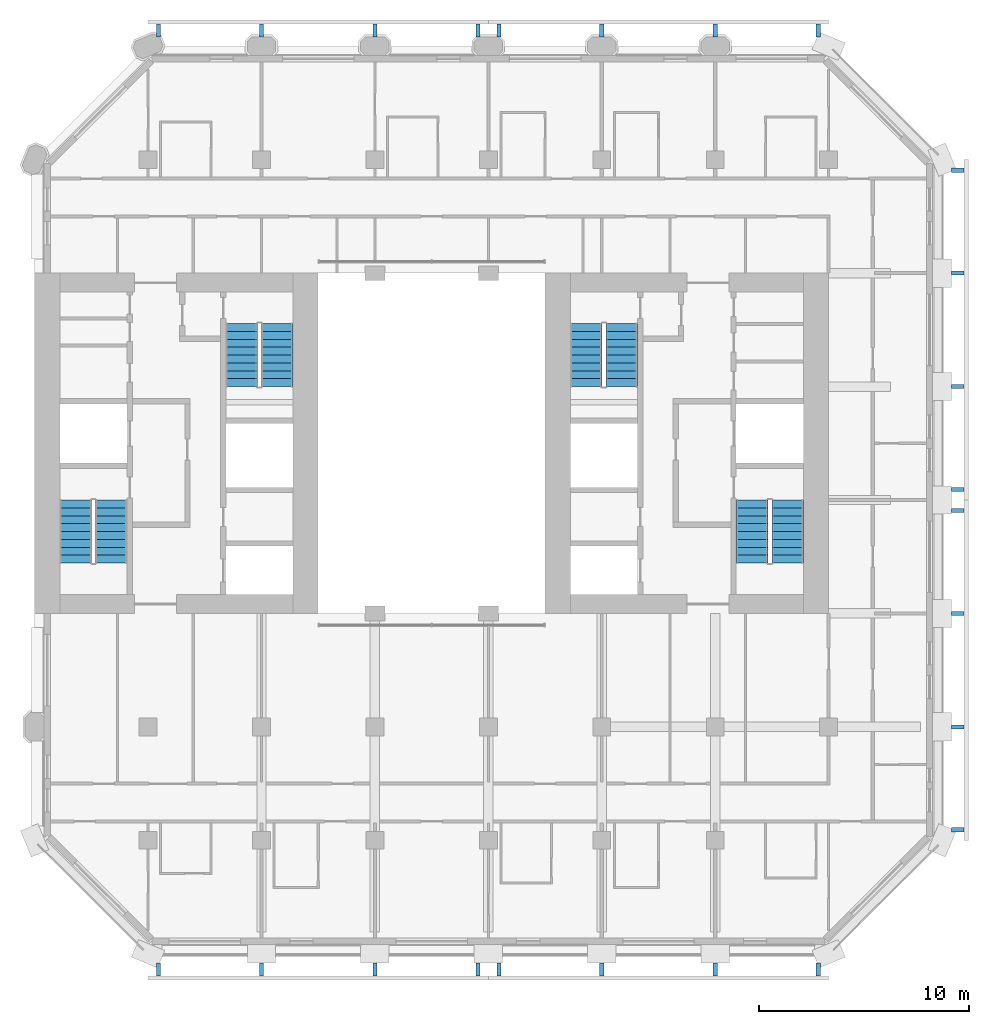
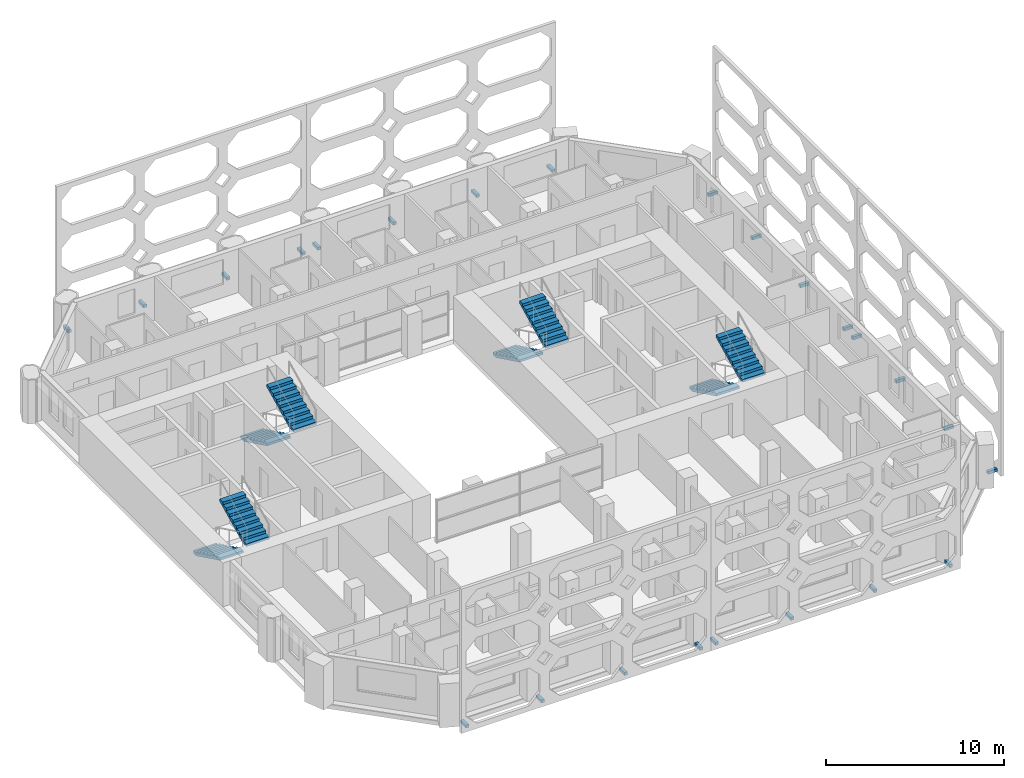
# One storey, part 11 of 14: 24 discrete accessories, 8 stair flights, 4 elements without a shape of their own.
"""IFC4 building model written with IfcOpenShell, lengths in metres."""

from ifc_helpers import new_model, si_unit, direction, frame, origin, origin_2d, place, context, subcontext, project, spatial, polyline, rectangle, outline, extrude, material, type_object, element, aggregate, save


model = new_model("IFC4")

# Units and contexts
model_context = context("Model", 3, precision=1e-05, world=origin(), true_north=direction((0.0, 1.0)))
body_context = subcontext(model_context, "Body", "Model", "MODEL_VIEW")
ifc_project = project(units=[si_unit("LENGTHUNIT", "METRE"), si_unit("AREAUNIT", "SQUARE_METRE"), si_unit("VOLUMEUNIT", "CUBIC_METRE"), si_unit("PLANEANGLEUNIT", "RADIAN"), si_unit("MASSUNIT", "GRAM", prefix="KILO")], contexts=[model_context])

# Site, building, storey
site_placement = place(None, origin())
site = spatial("IfcSite", under=ifc_project, at=site_placement, CompositionType="ELEMENT")
building_placement = place(site_placement, origin())
building = spatial("IfcBuilding", under=site, at=building_placement, Name="Tabaq Tower and Sports Hall", CompositionType="ELEMENT")
storey_placement = place(building_placement, frame((0.0, 0.0, 166.0)))
storey = spatial("IfcBuildingStorey", under=building, at=storey_placement, Name="L39", CompositionType="ELEMENT", Elevation=166.0)

# Stair, stair flights
ifc_material_1 = material(Name="Concrete C40/50", Category="concrete")
stair_type = type_object("IfcStairType", Name="Exit stair", PredefinedType="HALF_TURN_STAIR", material=ifc_material_1)
stair_1_placement = place(storey_placement, origin())
stair_1 = element("IfcStair", 1, at=stair_1_placement, inside=storey, type_object=stair_type, Name="L39 Exit stair ST1", PredefinedType="HALF_TURN_STAIR")
ifc_material_2 = material(Name="Concrete C40/50", Category="concrete")
stair_flight_type = type_object("IfcStairFlightType", Name="Exit stair flight", PredefinedType="STRAIGHT", material=ifc_material_2)
stair_flight_1_placement = place(storey_placement, frame((7.35009765625, 21.60009765625, 0.0), z_axis=(0.0, 0.0, 1.0), x_axis=(0.0, -1.0, 0.0)))
stair_flight_1 = element("IfcStairFlight", 2, at=stair_flight_1_placement, type_object=stair_flight_type, Name="ST1 flight 1", NumberOfRisers=9, NumberOfTreads=8, PredefinedType="STRAIGHT", RiserHeight=0.183333333, TreadLength=0.375, context=body_context, shape_type="SweptSolid", body=[
    extrude(outline(polyline([(0.0, 0.0), (0.0, 0.183349609375), (0.375, 0.183349609375), (0.375, 0.36669921875), (0.75, 0.36669921875), (0.75, 0.550048828125), (1.125, 0.550048828125), (1.125, 0.7333984375), (1.5, 0.7333984375), (1.5, 0.916748046875), (1.875, 0.916748046875), (1.875, 1.10009765625), (2.25, 1.10009765625), (2.25, 1.283447265625), (2.625, 1.283447265625), (2.625, 1.466552734375), (3.0, 1.466552734375), (3.0, 1.64990234375), (3.0, 1.2998046875), (0.34130859375, 0.0), (0.0, 0.0)])), frame((0.0, 0.75, 0.0), z_axis=(0.0, -1.0, 0.0), x_axis=(1.0, 0.0, 0.0)), (0.0, 0.0, 1.0), 1.5),
])
stair_flight_2_placement = place(storey_placement, frame((9.050048828125, 18.60009765625, 1.64990234375), z_axis=(0.0, 0.0, 1.0), x_axis=(0.0, 1.0, 0.0)))
stair_flight_2 = element("IfcStairFlight", 3, at=stair_flight_2_placement, type_object=stair_flight_type, Name="ST1 flight 2", NumberOfRisers=9, NumberOfTreads=8, PredefinedType="STRAIGHT", RiserHeight=0.183333333, TreadLength=0.375, context=body_context, shape_type="SweptSolid", body=[
    extrude(outline(polyline([(0.0, 0.0), (0.0, 0.183349609375), (0.375, 0.183349609375), (0.375, 0.36669921875), (0.75, 0.36669921875), (0.75, 0.550048828125), (1.125, 0.550048828125), (1.125, 0.7333984375), (1.5, 0.7333984375), (1.5, 0.916748046875), (1.875, 0.916748046875), (1.875, 1.10009765625), (2.25, 1.10009765625), (2.25, 1.283447265625), (2.625, 1.283447265625), (2.625, 1.466552734375), (3.0, 1.466552734375), (3.0, 1.64990234375), (3.0, 1.2998046875), (0.34130859375, 0.0), (0.0, 0.0)])), frame((0.0, 0.75, 0.0), z_axis=(0.0, -1.0, 0.0), x_axis=(1.0, 0.0, 0.0)), (0.0, 0.0, 1.0), 1.5),
])
aggregate(stair_1, [stair_flight_1, stair_flight_2])

stair_2_placement = place(storey_placement, origin())
stair_2 = element("IfcStair", 4, at=stair_2_placement, inside=storey, type_object=stair_type, Name="L39 Exit stair ST2", PredefinedType="HALF_TURN_STAIR")
stair_flight_3_placement = place(storey_placement, frame((15.25, 30.0, 0.0), z_axis=(0.0, 0.0, 1.0), x_axis=(0.0, -1.0, 0.0)))
stair_flight_3 = element("IfcStairFlight", 5, at=stair_flight_3_placement, type_object=stair_flight_type, Name="ST2 flight 1", NumberOfRisers=9, NumberOfTreads=8, PredefinedType="STRAIGHT", RiserHeight=0.183333333, TreadLength=0.375, context=body_context, shape_type="SweptSolid", body=[
    extrude(outline(polyline([(0.0, 0.0), (0.0, 0.183349609375), (0.375, 0.183349609375), (0.375, 0.36669921875), (0.75, 0.36669921875), (0.75, 0.550048828125), (1.125, 0.550048828125), (1.125, 0.7333984375), (1.5, 0.7333984375), (1.5, 0.916748046875), (1.875, 0.916748046875), (1.875, 1.10009765625), (2.25, 1.10009765625), (2.25, 1.283447265625), (2.625, 1.283447265625), (2.625, 1.466552734375), (3.0, 1.466552734375), (3.0, 1.64990234375), (3.0, 1.2998046875), (0.34130859375, 0.0), (0.0, 0.0)])), frame((0.0, 0.75, 0.0), z_axis=(0.0, -1.0, 0.0), x_axis=(1.0, 0.0, 0.0)), (0.0, 0.0, 1.0), 1.5),
])
stair_flight_4_placement = place(storey_placement, frame((16.949951171875, 27.0, 1.64990234375), z_axis=(0.0, 0.0, 1.0), x_axis=(0.0, 1.0, 0.0)))
stair_flight_4 = element("IfcStairFlight", 6, at=stair_flight_4_placement, type_object=stair_flight_type, Name="ST2 flight 2", NumberOfRisers=9, NumberOfTreads=8, PredefinedType="STRAIGHT", RiserHeight=0.183333333, TreadLength=0.375, context=body_context, shape_type="SweptSolid", body=[
    extrude(outline(polyline([(0.0, 0.0), (0.0, 0.183349609375), (0.375, 0.183349609375), (0.375, 0.36669921875), (0.75, 0.36669921875), (0.75, 0.550048828125), (1.125, 0.550048828125), (1.125, 0.7333984375), (1.5, 0.7333984375), (1.5, 0.916748046875), (1.875, 0.916748046875), (1.875, 1.10009765625), (2.25, 1.10009765625), (2.25, 1.283447265625), (2.625, 1.283447265625), (2.625, 1.466552734375), (3.0, 1.466552734375), (3.0, 1.64990234375), (3.0, 1.2998046875), (0.34130859375, 0.0), (0.0, 0.0)])), frame((0.0, 0.75, 0.0), z_axis=(0.0, -1.0, 0.0), x_axis=(1.0, 0.0, 0.0)), (0.0, 0.0, 1.0), 1.5),
])
aggregate(stair_2, [stair_flight_3, stair_flight_4])

stair_3_placement = place(storey_placement, origin())
stair_3 = element("IfcStair", 7, at=stair_3_placement, inside=storey, type_object=stair_type, Name="L39 Exit stair ST3", PredefinedType="HALF_TURN_STAIR")
stair_flight_5_placement = place(storey_placement, frame((39.550048828125, 21.60009765625, 0.0), z_axis=(0.0, 0.0, 1.0), x_axis=(0.0, -1.0, 0.0)))
stair_flight_5 = element("IfcStairFlight", 8, at=stair_flight_5_placement, type_object=stair_flight_type, Name="ST3 flight 1", NumberOfRisers=9, NumberOfTreads=8, PredefinedType="STRAIGHT", RiserHeight=0.183333333, TreadLength=0.375, context=body_context, shape_type="SweptSolid", body=[
    extrude(outline(polyline([(0.0, 0.0), (0.0, 0.183349609375), (0.375, 0.183349609375), (0.375, 0.36669921875), (0.75, 0.36669921875), (0.75, 0.550048828125), (1.125, 0.550048828125), (1.125, 0.7333984375), (1.5, 0.7333984375), (1.5, 0.916748046875), (1.875, 0.916748046875), (1.875, 1.10009765625), (2.25, 1.10009765625), (2.25, 1.283447265625), (2.625, 1.283447265625), (2.625, 1.466552734375), (3.0, 1.466552734375), (3.0, 1.64990234375), (3.0, 1.2998046875), (0.34130859375, 0.0), (0.0, 0.0)])), frame((0.0, 0.75, 0.0), z_axis=(0.0, -1.0, 0.0), x_axis=(1.0, 0.0, 0.0)), (0.0, 0.0, 1.0), 1.5),
])
stair_flight_6_placement = place(storey_placement, frame((41.25, 18.60009765625, 1.64990234375), z_axis=(0.0, 0.0, 1.0), x_axis=(0.0, 1.0, 0.0)))
stair_flight_6 = element("IfcStairFlight", 9, at=stair_flight_6_placement, type_object=stair_flight_type, Name="ST3 flight 2", NumberOfRisers=9, NumberOfTreads=8, PredefinedType="STRAIGHT", RiserHeight=0.183333333, TreadLength=0.375, context=body_context, shape_type="SweptSolid", body=[
    extrude(outline(polyline([(0.0, 0.0), (0.0, 0.183349609375), (0.375, 0.183349609375), (0.375, 0.36669921875), (0.75, 0.36669921875), (0.75, 0.550048828125), (1.125, 0.550048828125), (1.125, 0.7333984375), (1.5, 0.7333984375), (1.5, 0.916748046875), (1.875, 0.916748046875), (1.875, 1.10009765625), (2.25, 1.10009765625), (2.25, 1.283447265625), (2.625, 1.283447265625), (2.625, 1.466552734375), (3.0, 1.466552734375), (3.0, 1.64990234375), (3.0, 1.2998046875), (0.34130859375, 0.0), (0.0, 0.0)])), frame((0.0, 0.75, 0.0), z_axis=(0.0, -1.0, 0.0), x_axis=(1.0, 0.0, 0.0)), (0.0, 0.0, 1.0), 1.5),
])
aggregate(stair_3, [stair_flight_5, stair_flight_6])

stair_4_placement = place(storey_placement, origin())
stair_4 = element("IfcStair", 10, at=stair_4_placement, inside=storey, type_object=stair_type, Name="L39 Exit stair ST4", PredefinedType="HALF_TURN_STAIR")
stair_flight_7_placement = place(storey_placement, frame((31.64990234375, 30.0, 0.0), z_axis=(0.0, 0.0, 1.0), x_axis=(0.0, -1.0, 0.0)))
stair_flight_7 = element("IfcStairFlight", 11, at=stair_flight_7_placement, type_object=stair_flight_type, Name="ST4 flight 1", NumberOfRisers=9, NumberOfTreads=8, PredefinedType="STRAIGHT", RiserHeight=0.183333333, TreadLength=0.375, context=body_context, shape_type="SweptSolid", body=[
    extrude(outline(polyline([(0.0, 0.0), (0.0, 0.183349609375), (0.375, 0.183349609375), (0.375, 0.36669921875), (0.75, 0.36669921875), (0.75, 0.550048828125), (1.125, 0.550048828125), (1.125, 0.7333984375), (1.5, 0.7333984375), (1.5, 0.916748046875), (1.875, 0.916748046875), (1.875, 1.10009765625), (2.25, 1.10009765625), (2.25, 1.283447265625), (2.625, 1.283447265625), (2.625, 1.466552734375), (3.0, 1.466552734375), (3.0, 1.64990234375), (3.0, 1.2998046875), (0.34130859375, 0.0), (0.0, 0.0)])), frame((0.0, 0.75, 0.0), z_axis=(0.0, -1.0, 0.0), x_axis=(1.0, 0.0, 0.0)), (0.0, 0.0, 1.0), 1.5),
])
stair_flight_8_placement = place(storey_placement, frame((33.35009765625, 27.0, 1.64990234375), z_axis=(0.0, 0.0, 1.0), x_axis=(0.0, 1.0, 0.0)))
stair_flight_8 = element("IfcStairFlight", 12, at=stair_flight_8_placement, type_object=stair_flight_type, Name="ST4 flight 2", NumberOfRisers=9, NumberOfTreads=8, PredefinedType="STRAIGHT", RiserHeight=0.183333333, TreadLength=0.375, context=body_context, shape_type="SweptSolid", body=[
    extrude(outline(polyline([(0.0, 0.0), (0.0, 0.183349609375), (0.375, 0.183349609375), (0.375, 0.36669921875), (0.75, 0.36669921875), (0.75, 0.550048828125), (1.125, 0.550048828125), (1.125, 0.7333984375), (1.5, 0.7333984375), (1.5, 0.916748046875), (1.875, 0.916748046875), (1.875, 1.10009765625), (2.25, 1.10009765625), (2.25, 1.283447265625), (2.625, 1.283447265625), (2.625, 1.466552734375), (3.0, 1.466552734375), (3.0, 1.64990234375), (3.0, 1.2998046875), (0.34130859375, 0.0), (0.0, 0.0)])), frame((0.0, 0.75, 0.0), z_axis=(0.0, -1.0, 0.0), x_axis=(1.0, 0.0, 0.0)), (0.0, 0.0, 1.0), 1.5),
])
aggregate(stair_4, [stair_flight_7, stair_flight_8])

# Discrete accessories
for number, where, z_axis, x_axis, name in (
    (13, (11.300048828125, -0.75, 0.10009765625), (0.0, 0.0, 1.0), (0.0, -1.0, 0.0), "Stainless steel bracket"),
    (14, (16.199951171875, -0.75, 0.10009765625), (0.0, 0.0, 1.0), (0.0, -1.0, 0.0), "Stainless steel bracket"),
    (15, (21.60009765625, -0.75, 0.10009765625), (0.0, 0.0, 1.0), (0.0, -1.0, 0.0), "Stainless steel bracket"),
    (16, (26.5, -0.75, 0.10009765625), (0.0, 0.0, 1.0), (0.0, -1.0, 0.0), "Stainless steel bracket"),
    (17, (27.5, -0.75, 0.10009765625), (0.0, 0.0, 1.0), (0.0, -1.0, 0.0), "Stainless steel bracket"),
    (18, (32.39990234375, -0.75, 0.10009765625), (0.0, 0.0, 1.0), (0.0, -1.0, 0.0), "Stainless steel bracket"),
    (19, (37.800048828125, -0.75, 0.10009765625), (0.0, 0.0, 1.0), (0.0, -1.0, 0.0), "Stainless steel bracket"),
    (20, (42.699951171875, -0.75, 0.10009765625), (0.0, 0.0, 1.0), (0.0, -1.0, 0.0), "Stainless steel bracket"),
    (21, (49.35009765625, 5.89990234375, 0.10009765625), (0.0, 0.0, 1.0), (1.0, 0.0, 0.0), "Stainless steel bracket"),
    (22, (49.35009765625, 10.800048828125, 0.10009765625), (0.0, 0.0, 1.0), (1.0, 0.0, 0.0), "Stainless steel bracket"),
    (23, (49.35009765625, 16.199951171875, 0.10009765625), (0.0, 0.0, 1.0), (1.0, 0.0, 0.0), "Stainless steel bracket"),
    (24, (49.35009765625, 21.10009765625, 0.10009765625), (0.0, 0.0, 1.0), (1.0, 0.0, 0.0), "Stainless steel bracket"),
    (25, (49.35009765625, 22.10009765625, 0.10009765625), (0.0, 0.0, 1.0), (1.0, 0.0, 0.0), "Stainless steel bracket"),
    (26, (49.35009765625, 27.0, 0.10009765625), (0.0, 0.0, 1.0), (1.0, 0.0, 0.0), "Stainless steel bracket"),
    (27, (49.35009765625, 32.39990234375, 0.10009765625), (0.0, 0.0, 1.0), (1.0, 0.0, 0.0), "Stainless steel bracket"),
    (28, (49.35009765625, 37.300048828125, 0.10009765625), (0.0, 0.0, 1.0), (1.0, 0.0, 0.0), "Stainless steel bracket"),
    (29, (42.699951171875, 43.949951171875, 0.10009765625), (0.0, 0.0, 1.0), (0.0, 1.0, 0.0), "Stainless steel bracket"),
    (30, (37.800048828125, 43.949951171875, 0.10009765625), (0.0, 0.0, 1.0), (0.0, 1.0, 0.0), "Stainless steel bracket"),
    (31, (32.39990234375, 43.949951171875, 0.10009765625), (0.0, 0.0, 1.0), (0.0, 1.0, 0.0), "Stainless steel bracket"),
    (32, (27.5, 43.949951171875, 0.10009765625), (0.0, 0.0, 1.0), (0.0, 1.0, 0.0), "Stainless steel bracket"),
    (33, (26.5, 43.949951171875, 0.10009765625), (0.0, 0.0, 1.0), (0.0, 1.0, 0.0), "Stainless steel bracket"),
    (34, (21.60009765625, 43.949951171875, 0.10009765625), (0.0, 0.0, 1.0), (0.0, 1.0, 0.0), "Stainless steel bracket"),
    (35, (16.199951171875, 43.949951171875, 0.10009765625), (0.0, 0.0, 1.0), (0.0, 1.0, 0.0), "Stainless steel bracket"),
    (36, (11.300048828125, 43.949951171875, 0.10009765625), (0.0, 0.0, 1.0), (0.0, 1.0, 0.0), "Stainless steel bracket"),
):
    element("IfcDiscreteAccessory", number, at=place(storey_placement, frame(where, z_axis=z_axis, x_axis=x_axis)), inside=storey, Name=name, PredefinedType="BRACKET", context=body_context, shape_type="SweptSolid", body=[
        extrude(rectangle(XDim=0.60009765625, YDim=0.199951171875, at=origin_2d()), origin(), (0.0, 0.0, 1.0), 0.199951171875),
    ])

save(model, "model.ifc")
